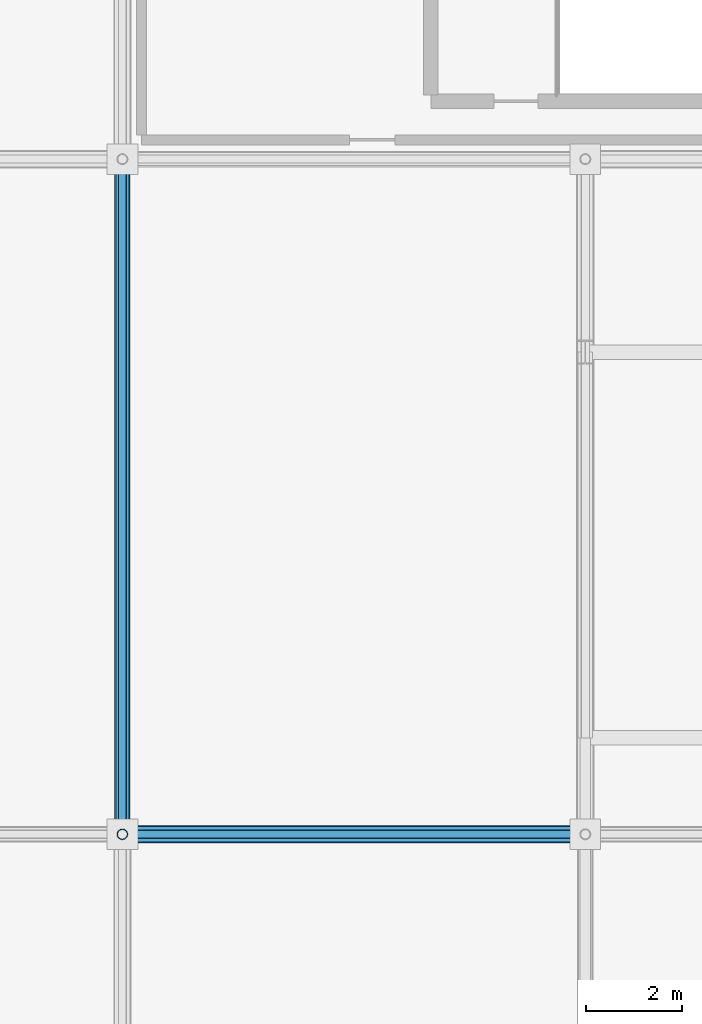
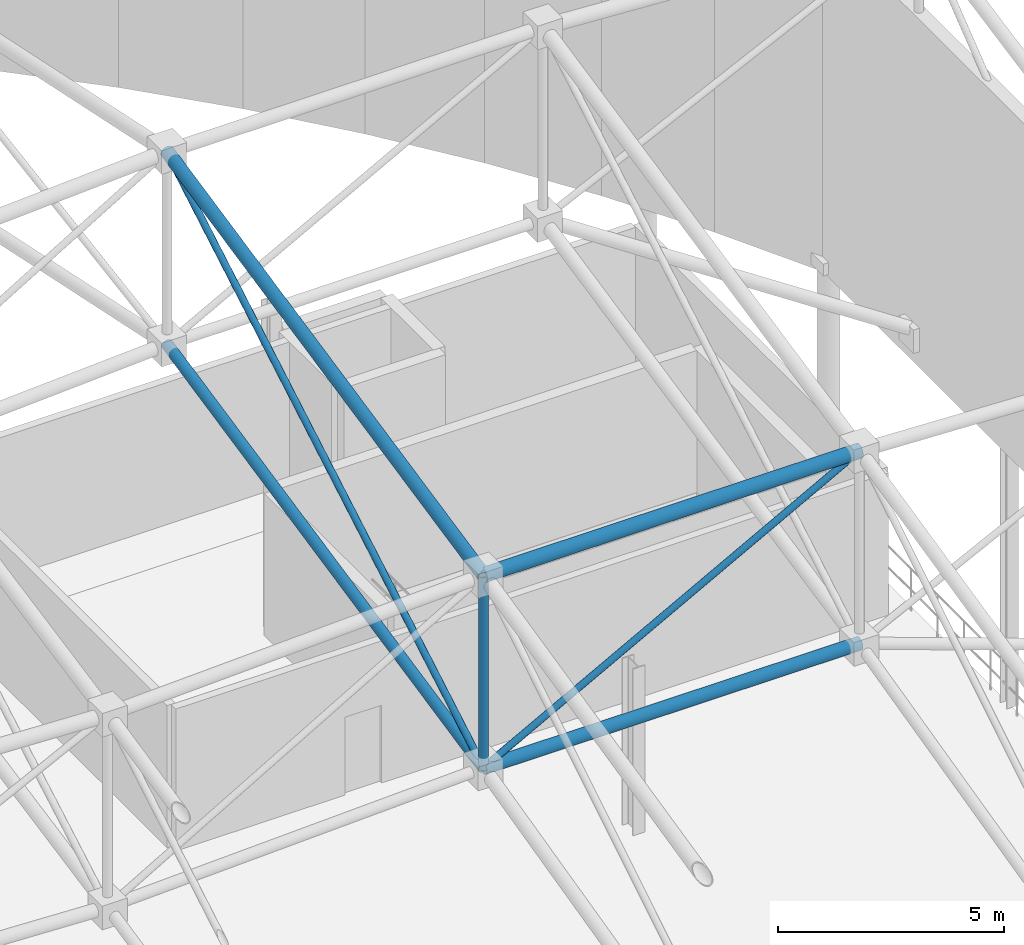
# One storey, part 109 of 193: 7 members.
"""IFC4 building model written with IfcOpenShell, lengths in metres."""

from ifc_helpers import new_model, si_unit, direction, frame, origin, origin_2d, place, context, subcontext, project, spatial, hollow_circle, extrude, material, material_profile, profile_set, type_object, element, save


model = new_model("IFC4")

# Units and contexts
model_context = context("Model", 3, precision=1e-05, world=origin(), true_north=direction((0.0, 1.0)))
body_context = subcontext(model_context, "Body", "Model", "MODEL_VIEW")
ifc_project = project(units=[si_unit("LENGTHUNIT", "METRE"), si_unit("AREAUNIT", "SQUARE_METRE"), si_unit("VOLUMEUNIT", "CUBIC_METRE"), si_unit("PLANEANGLEUNIT", "RADIAN"), si_unit("MASSUNIT", "GRAM", prefix="KILO")], contexts=[model_context])

# Site, building, storey
site_placement = place(None, origin())
site = spatial("IfcSite", under=ifc_project, at=site_placement, CompositionType="ELEMENT")
building_placement = place(site_placement, origin())
building = spatial("IfcBuilding", under=site, at=building_placement, Name="Danafjord Basin Convention Centre", CompositionType="ELEMENT")
storey_placement = place(building_placement, frame((0.0, 0.0, 11.39990234375)))
storey = spatial("IfcBuildingStorey", under=building, at=storey_placement, Name="L02", CompositionType="ELEMENT", Elevation=11.39990234375)

# Members
ifc_material = material(Name="Steel S355", Category="steel")
ifc_material_profile_1 = material_profile(ifc_material, hollow_circle(Radius=0.136474609375, WallThickness=0.012451171875, at=origin_2d()), Name="CHS 273.0x12.5")
ifc_profile_set_1 = profile_set([ifc_material_profile_1], Name="Steel S355")
member_type_1 = type_object("IfcMemberType", Name="MEM-CH-CHS273", PredefinedType="CHORD", material=ifc_profile_set_1)
member_1_placement = place(storey_placement, frame((182.39990234375, 102.0, 11.059814453125), z_axis=(0.0, 0.978472048473, 0.206379384526), x_axis=(-1.0, 0.0, 0.0)))
element("IfcMember", 1, at=member_1_placement, inside=storey, type_object=member_type_1, Name="V2 roof truss transverse bottom chord", PredefinedType="CHORD", context=body_context, shape_type="SweptSolid", body=[
    extrude(hollow_circle(Radius=0.136474609375, WallThickness=0.012451171875, at=origin_2d()), origin(), (0.0, 0.0, 1.0), 14.30810546875),
])
ifc_material_profile_2 = material_profile(ifc_material, hollow_circle(Radius=0.161865234375, WallThickness=0.01611328125, at=origin_2d()), Name="CHS 323.9x16.0")
ifc_profile_set_2 = profile_set([ifc_material_profile_2], Name="Steel S355")
member_type_2 = type_object("IfcMemberType", Name="MEM-CH-CHS324", PredefinedType="CHORD", material=ifc_profile_set_2)
member_2_placement = place(storey_placement, frame((182.39990234375, 102.0, 11.059814453125), z_axis=(1.0, 0.0, 0.0), x_axis=(0.0, 1.0, 0.0)))
element("IfcMember", 2, at=member_2_placement, inside=storey, type_object=member_type_2, Name="V2 roof truss longitudinal bottom chord", PredefinedType="CHORD", context=body_context, shape_type="SweptSolid", body=[
    extrude(hollow_circle(Radius=0.161865234375, WallThickness=0.01611328125, at=origin_2d()), origin(), (0.0, 0.0, 1.0), 9.60009765625),
])
member_3_placement = place(storey_placement, frame((182.39990234375, 102.0, 16.259765625), z_axis=(0.0, 0.978472048473, 0.206379384526), x_axis=(-1.0, 0.0, 0.0)))
element("IfcMember", 3, at=member_3_placement, inside=storey, type_object=member_type_2, Name="V2 roof truss transverse top chord", PredefinedType="CHORD", context=body_context, shape_type="SweptSolid", body=[
    extrude(hollow_circle(Radius=0.161865234375, WallThickness=0.01611328125, at=origin_2d()), origin(), (0.0, 0.0, 1.0), 14.30810546875),
])
ifc_material_profile_3 = material_profile(ifc_material, hollow_circle(Radius=0.177734375, WallThickness=0.01611328125, at=origin_2d()), Name="CHS 355.6x16.0")
ifc_profile_set_3 = profile_set([ifc_material_profile_3], Name="Steel S355")
member_type_3 = type_object("IfcMemberType", Name="MEM-CH-CHS355", PredefinedType="CHORD", material=ifc_profile_set_3)
member_4_placement = place(storey_placement, frame((182.39990234375, 102.0, 16.259765625), z_axis=(0.999999999677, 0.0, 2.5431056e-05), x_axis=(0.0, 1.0, 0.0)))
element("IfcMember", 4, at=member_4_placement, inside=storey, type_object=member_type_3, Name="V2 roof truss longitudinal top chord", PredefinedType="CHORD", context=body_context, shape_type="SweptSolid", body=[
    extrude(hollow_circle(Radius=0.177734375, WallThickness=0.01611328125, at=origin_2d()), origin(), (0.0, 0.0, 1.0), 9.60009765625),
])
ifc_material_profile_4 = material_profile(ifc_material, hollow_circle(Radius=0.109619140625, WallThickness=0.010009765625, at=origin_2d()), Name="CHS 219.1x10.0")
ifc_profile_set_4 = profile_set([ifc_material_profile_4], Name="Steel S355")
member_type_4 = type_object("IfcMemberType", Name="MEM-ST-CHS219", PredefinedType="STRUT", material=ifc_profile_set_4)
member_5_placement = place(storey_placement, frame((182.39990234375, 102.0, 11.059814453125), z_axis=(0.0, 0.0, 1.0), x_axis=(1.0, 0.0, 0.0)))
element("IfcMember", 5, at=member_5_placement, inside=storey, type_object=member_type_4, Name="V2 roof truss vertical strut", PredefinedType="STRUT", context=body_context, shape_type="SweptSolid", body=[
    extrude(hollow_circle(Radius=0.109619140625, WallThickness=0.010009765625, at=origin_2d()), origin(), (0.0, 0.0, 1.0), 5.199951171875),
])
ifc_material_profile_5 = material_profile(ifc_material, hollow_circle(Radius=0.084228515625, WallThickness=0.008056640625, at=origin_2d()), Name="CHS 168.3x8.0")
ifc_profile_set_5 = profile_set([ifc_material_profile_5], Name="Steel S355")
member_type_5 = type_object("IfcMemberType", Name="MEM-WB-CHS168", PredefinedType="MEMBER", material=ifc_profile_set_5)
member_6_placement = place(storey_placement, frame((182.39990234375, 102.0, 11.059814453125), z_axis=(0.879286503747, 0.0, 0.476293233554), x_axis=(0.0, 1.0, 0.0)))
element("IfcMember", 6, at=member_6_placement, inside=storey, type_object=member_type_5, Name="V2 space-frame longitudinal web", PredefinedType="MEMBER", context=body_context, shape_type="SweptSolid", body=[
    extrude(hollow_circle(Radius=0.084228515625, WallThickness=0.008056640625, at=origin_2d()), origin(), (0.0, 0.0, 1.0), 10.91796875),
])
member_7_placement = place(storey_placement, frame((182.39990234375, 102.0, 11.059814453125), z_axis=(0.0, 0.864150330313, 0.503233749485), x_axis=(-1.0, 0.0, 0.0)))
element("IfcMember", 7, at=member_7_placement, inside=storey, type_object=member_type_5, Name="V2 space-frame transverse web", PredefinedType="MEMBER", context=body_context, shape_type="SweptSolid", body=[
    extrude(hollow_circle(Radius=0.084228515625, WallThickness=0.008056640625, at=origin_2d()), origin(), (0.0, 0.0, 1.0), 16.200927734375),
])

save(model, "model.ifc")
